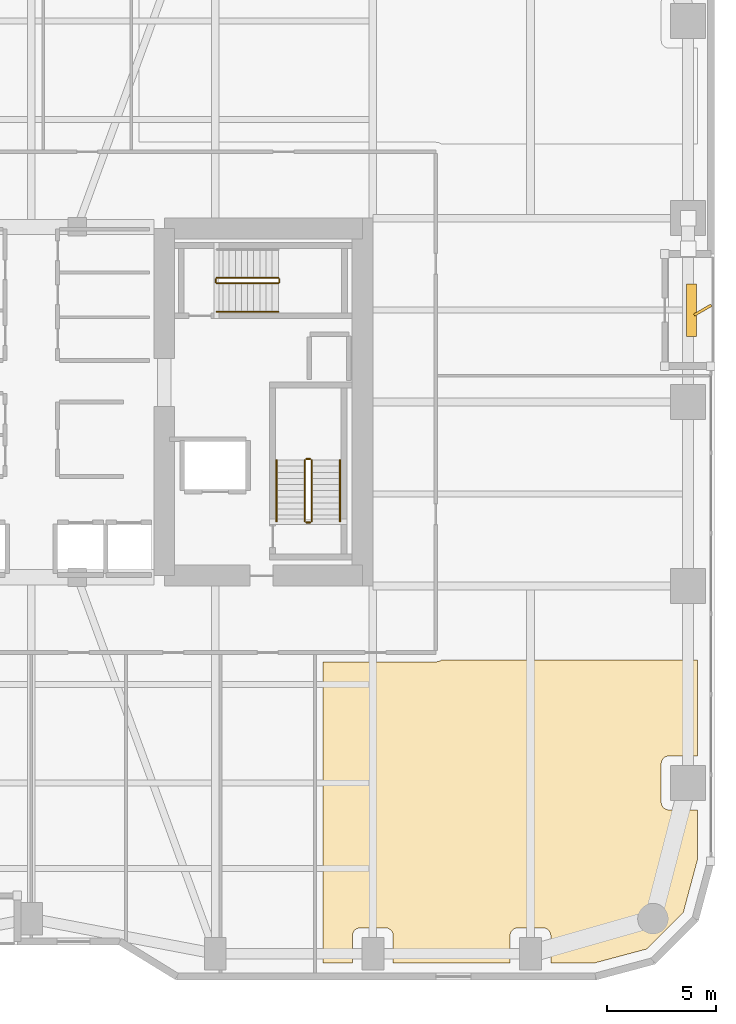
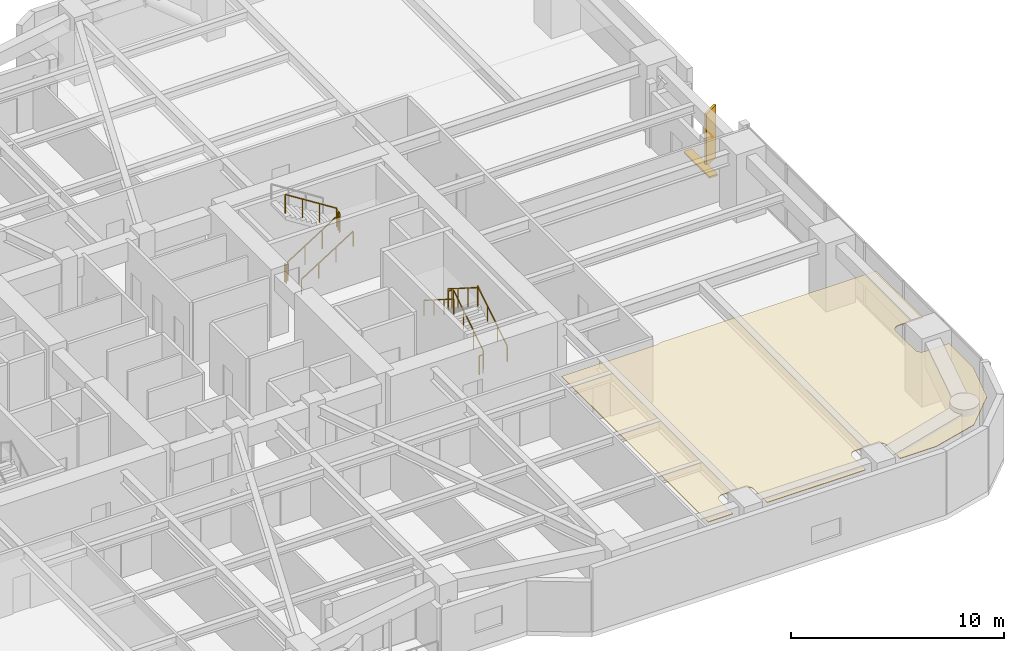
# One storey, part 27 of 28: 11 railings, 2 shading devices, 1 covering.
"""IFC4 building model written with IfcOpenShell, lengths in metres."""

from ifc_helpers import new_model, si_unit, direction, frame, origin, origin_2d, place, context, subcontext, project, spatial, polyline, rectangle, outline, extrude, material, layer, layer_set, type_object, element, save


model = new_model("IFC4")

# Units and contexts
model_context = context("Model", 3, precision=1e-05, world=origin(), true_north=direction((0.0, 1.0)))
body_context = subcontext(model_context, "Body", "Model", "MODEL_VIEW")
ifc_project = project(units=[si_unit("LENGTHUNIT", "METRE"), si_unit("AREAUNIT", "SQUARE_METRE"), si_unit("VOLUMEUNIT", "CUBIC_METRE"), si_unit("PLANEANGLEUNIT", "RADIAN"), si_unit("MASSUNIT", "GRAM", prefix="KILO")], contexts=[model_context])

# Site, building, storey
site_placement = place(None, origin())
site = spatial("IfcSite", under=ifc_project, at=site_placement, CompositionType="ELEMENT")
building_placement = place(site_placement, origin())
building = spatial("IfcBuilding", under=site, at=building_placement, Name="Kiyonajd Concourse Tower", CompositionType="ELEMENT")
storey_placement = place(building_placement, frame((0.0, 0.0, 56.699951171875)))
storey = spatial("IfcBuildingStorey", under=building, at=storey_placement, Name="L15", CompositionType="ELEMENT", Elevation=56.699951171875)

# Covering
ifc_material_1 = material(Name="Natural Oak Acoustic Timber Veneer", Category="wood")
ifc_layer = layer(ifc_material_1, 0.0400390625)
ifc_layer_set = layer_set([ifc_layer], Name="Natural Oak Acoustic Timber Veneer")
covering_type = type_object("IfcCoveringType", Name="CV-CLG-ACST", PredefinedType="CEILING", material=ifc_layer_set)
covering_placement = place(storey_placement, frame((0.0, 0.0, 3.4599609375)))
element("IfcCovering", 1, at=covering_placement, inside=storey, type_object=covering_type, Name="L15-47 Room Acoustic Ceiling", PredefinedType="CEILING", context=body_context, shape_type="SweptSolid", body=[
    extrude(outline(polyline([(66.722900390625, 24.2099609375), (78.429931640625, 24.2099609375), (78.429931640625, 19.830078125), (77.1201171875, 19.830078125), (77.052001953125, 19.822998046875), (76.986083984375, 19.802978515625), (76.926025390625, 19.77099609375), (76.84912109375, 19.701904296875), (76.81103515625, 19.64501953125), (76.784912109375, 19.58203125), (76.77001953125, 19.47998046875), (76.77001953125, 17.719970703125), (76.784912109375, 17.617919921875), (76.81103515625, 17.554931640625), (76.84912109375, 17.498046875), (76.89794921875, 17.448974609375), (76.955078125, 17.410888671875), (77.01806640625, 17.385009765625), (77.0859375, 17.3720703125), (78.429931640625, 17.3701171875), (78.429931640625, 15.10107421875), (77.785888671875, 12.697998046875), (76.10205078125, 11.013916015625), (73.698974609375, 10.3701171875), (71.72998046875, 10.3701171875), (71.72802734375, 11.6640625), (71.715087890625, 11.73193359375), (71.68896484375, 11.794921875), (71.626953125, 11.876953125), (71.544921875, 11.93896484375), (71.48193359375, 11.965087890625), (71.4140625, 11.97802734375), (70.18603515625, 11.97802734375), (70.117919921875, 11.965087890625), (70.054931640625, 11.93896484375), (69.972900390625, 11.876953125), (69.910888671875, 11.794921875), (69.876953125, 11.697998046875), (69.8701171875, 11.6298828125), (69.8701171875, 10.3701171875), (64.530029296875, 10.3701171875), (64.528076171875, 11.6640625), (64.514892578125, 11.73193359375), (64.489013671875, 11.794921875), (64.427001953125, 11.876953125), (64.344970703125, 11.93896484375), (64.281982421875, 11.965087890625), (64.214111328125, 11.97802734375), (63.02001953125, 11.97998046875), (62.91796875, 11.965087890625), (62.85498046875, 11.93896484375), (62.798095703125, 11.90087890625), (62.7490234375, 11.85205078125), (62.7109375, 11.794921875), (62.677001953125, 11.697998046875), (62.669921875, 11.6298828125), (62.669921875, 10.3701171875), (61.330078125, 10.3701171875), (61.330078125, 24.1298828125), (66.47509765625, 24.1298828125), (66.60498046875, 24.14990234375), (66.66796875, 24.176025390625), (66.722900390625, 24.2099609375)])), origin(), (0.0, 0.0, 1.0), 0.0400390625),
])

# Railings
ifc_material_2 = material(Name="Steel ASTM A500 Grade C", Category="steel")
railing_type_1 = type_object("IfcRailingType", Name="RL-GRD-STR", PredefinedType="GUARDRAIL", material=ifc_material_2)
railing_1_placement = place(storey_placement, frame((60.800048828125, 30.550048828125, 0.17724609375)))
element("IfcRailing", 2, at=railing_1_placement, inside=storey, type_object=railing_type_1, Name="L15 ST2 stair guard 1", PredefinedType="GUARDRAIL", context=body_context, shape_type="SweptSolid", body=[
    extrude(rectangle(XDim=0.048095703125, YDim=0.048095703125, at=origin_2d()), frame((0.0, 0.0, 1.076171875), z_axis=(0.0, 0.844908973607, 0.534910110503), x_axis=(-1.0, 0.0, 0.0)), (0.0, 0.0, 1.0), 3.31396484375),
    extrude(rectangle(XDim=0.0419921875, YDim=0.0419921875, at=origin_2d()), origin(), (0.0, 0.0, 1.0), 1.052001953125),
    extrude(rectangle(XDim=0.0419921875, YDim=0.0419921875, at=origin_2d()), frame((0.0, 0.933349609375, 0.5908203125)), (0.0, 0.0, 1.0), 1.052001953125),
    extrude(rectangle(XDim=0.0419921875, YDim=0.0419921875, at=origin_2d()), frame((0.0, 1.86669921875, 1.181884765625)), (0.0, 0.0, 1.0), 1.052001953125),
    extrude(rectangle(XDim=0.0419921875, YDim=0.0419921875, at=origin_2d()), frame((0.0, 2.800048828125, 1.772705078125)), (0.0, 0.0, 1.0), 1.052001953125),
])
railing_2_placement = place(storey_placement, frame((60.75, 33.39990234375, 1.949951171875)))
element("IfcRailing", 3, at=railing_2_placement, inside=storey, type_object=railing_type_1, Name="L15 ST2 stair guard 2", PredefinedType="GUARDRAIL", context=body_context, shape_type="SweptSolid", body=[
    extrude(rectangle(XDim=0.048095703125, YDim=0.048095703125, at=origin_2d()), frame((0.0, 0.0, 1.076171875), z_axis=(-1.0, 0.0, 0.0), x_axis=(0.0, -1.0, 0.0)), (0.0, 0.0, 1.0), 0.199951171875),
    extrude(rectangle(XDim=0.0419921875, YDim=0.0419921875, at=origin_2d()), origin(), (0.0, 0.0, 1.0), 1.052001953125),
    extrude(rectangle(XDim=0.0419921875, YDim=0.0419921875, at=origin_2d()), frame((-0.199951171875, 0.0, 0.0)), (0.0, 0.0, 1.0), 1.052001953125),
])
railing_3_placement = place(storey_placement, frame((60.5, 33.35009765625, 2.12744140625)))
element("IfcRailing", 4, at=railing_3_placement, inside=storey, type_object=railing_type_1, Name="L15 ST2 stair guard 3", PredefinedType="GUARDRAIL", context=body_context, shape_type="SweptSolid", body=[
    extrude(rectangle(XDim=0.048095703125, YDim=0.048095703125, at=origin_2d()), frame((0.0, 0.0, 1.076171875), z_axis=(0.0, -0.844908973607, 0.534910110503), x_axis=(1.0, 0.0, 0.0)), (0.0, 0.0, 1.0), 3.31396484375),
    extrude(rectangle(XDim=0.0419921875, YDim=0.0419921875, at=origin_2d()), origin(), (0.0, 0.0, 1.0), 1.052001953125),
    extrude(rectangle(XDim=0.0419921875, YDim=0.0419921875, at=origin_2d()), frame((0.0, -0.933349609375, 0.5908203125)), (0.0, 0.0, 1.0), 1.052001953125),
    extrude(rectangle(XDim=0.0419921875, YDim=0.0419921875, at=origin_2d()), frame((0.0, -1.86669921875, 1.181884765625)), (0.0, 0.0, 1.0), 1.052001953125),
    extrude(rectangle(XDim=0.0419921875, YDim=0.0419921875, at=origin_2d()), frame((0.0, -2.800048828125, 1.772705078125)), (0.0, 0.0, 1.0), 1.052001953125),
])
railing_4_placement = place(storey_placement, frame((60.75, 30.5, 0.0)))
element("IfcRailing", 5, at=railing_4_placement, inside=storey, type_object=railing_type_1, Name="L15 ST2 stair guard 4", PredefinedType="GUARDRAIL", context=body_context, shape_type="SweptSolid", body=[
    extrude(rectangle(XDim=0.048095703125, YDim=0.048095703125, at=origin_2d()), frame((0.0, 0.0, 1.076171875), z_axis=(-1.0, 0.0, 0.0), x_axis=(0.0, -1.0, 0.0)), (0.0, 0.0, 1.0), 0.199951171875),
    extrude(rectangle(XDim=0.0419921875, YDim=0.0419921875, at=origin_2d()), origin(), (0.0, 0.0, 1.0), 1.052001953125),
    extrude(rectangle(XDim=0.0419921875, YDim=0.0419921875, at=origin_2d()), frame((-0.199951171875, 0.0, 0.0)), (0.0, 0.0, 1.0), 1.052001953125),
])
railing_5_placement = place(storey_placement, frame((56.47998046875, 41.429931640625, 0.17724609375)))
element("IfcRailing", 6, at=railing_5_placement, inside=storey, type_object=railing_type_1, Name="L15 ST3 stair guard 1", PredefinedType="GUARDRAIL", context=body_context, shape_type="SweptSolid", body=[
    extrude(rectangle(XDim=0.048095703125, YDim=0.048095703125, at=origin_2d()), frame((0.0, 0.0, 1.076171875), z_axis=(0.844908973607, 0.0, 0.534910110503), x_axis=(0.0, 1.0, 0.0)), (0.0, 0.0, 1.0), 3.31396484375),
    extrude(rectangle(XDim=0.0419921875, YDim=0.0419921875, at=origin_2d()), origin(), (0.0, 0.0, 1.0), 1.052001953125),
    extrude(rectangle(XDim=0.0419921875, YDim=0.0419921875, at=origin_2d()), frame((0.933349609375, 0.0, 0.5908203125)), (0.0, 0.0, 1.0), 1.052001953125),
    extrude(rectangle(XDim=0.0419921875, YDim=0.0419921875, at=origin_2d()), frame((1.86669921875, 0.0, 1.181884765625)), (0.0, 0.0, 1.0), 1.052001953125),
    extrude(rectangle(XDim=0.0419921875, YDim=0.0419921875, at=origin_2d()), frame((2.800048828125, 0.0, 1.772705078125)), (0.0, 0.0, 1.0), 1.052001953125),
])
railing_6_placement = place(storey_placement, frame((59.330078125, 41.47998046875, 1.949951171875)))
element("IfcRailing", 7, at=railing_6_placement, inside=storey, type_object=railing_type_1, Name="L15 ST3 stair guard 2", PredefinedType="GUARDRAIL", context=body_context, shape_type="SweptSolid", body=[
    extrude(rectangle(XDim=0.048095703125, YDim=0.048095703125, at=origin_2d()), frame((0.0, 0.0, 1.076171875), z_axis=(0.0, 1.0, 0.0), x_axis=(-1.0, 0.0, 0.0)), (0.0, 0.0, 1.0), 0.14013671875),
    extrude(rectangle(XDim=0.0419921875, YDim=0.0419921875, at=origin_2d()), origin(), (0.0, 0.0, 1.0), 1.052001953125),
    extrude(rectangle(XDim=0.0419921875, YDim=0.0419921875, at=origin_2d()), frame((0.0, 0.14013671875, 0.0)), (0.0, 0.0, 1.0), 1.052001953125),
])
railing_7_placement = place(storey_placement, frame((59.280029296875, 41.669921875, 2.12744140625)))
element("IfcRailing", 8, at=railing_7_placement, inside=storey, type_object=railing_type_1, Name="L15 ST3 stair guard 3", PredefinedType="GUARDRAIL", context=body_context, shape_type="SweptSolid", body=[
    extrude(rectangle(XDim=0.048095703125, YDim=0.048095703125, at=origin_2d()), frame((0.0, 0.0, 1.076171875), z_axis=(-0.844908973607, 0.0, 0.534910110503), x_axis=(0.0, -1.0, 0.0)), (0.0, 0.0, 1.0), 3.31396484375),
    extrude(rectangle(XDim=0.0419921875, YDim=0.0419921875, at=origin_2d()), origin(), (0.0, 0.0, 1.0), 1.052001953125),
    extrude(rectangle(XDim=0.0419921875, YDim=0.0419921875, at=origin_2d()), frame((-0.933349609375, 0.0, 0.5908203125)), (0.0, 0.0, 1.0), 1.052001953125),
    extrude(rectangle(XDim=0.0419921875, YDim=0.0419921875, at=origin_2d()), frame((-1.86669921875, 0.0, 1.181884765625)), (0.0, 0.0, 1.0), 1.052001953125),
    extrude(rectangle(XDim=0.0419921875, YDim=0.0419921875, at=origin_2d()), frame((-2.800048828125, 0.0, 1.772705078125)), (0.0, 0.0, 1.0), 1.052001953125),
])
railing_8_placement = place(storey_placement, frame((56.429931640625, 41.47998046875, 0.0)))
element("IfcRailing", 9, at=railing_8_placement, inside=storey, type_object=railing_type_1, Name="L15 ST3 stair guard 4", PredefinedType="GUARDRAIL", context=body_context, shape_type="SweptSolid", body=[
    extrude(rectangle(XDim=0.048095703125, YDim=0.048095703125, at=origin_2d()), frame((0.0, 0.0, 1.076171875), z_axis=(0.0, 1.0, 0.0), x_axis=(-1.0, 0.0, 0.0)), (0.0, 0.0, 1.0), 0.14013671875),
    extrude(rectangle(XDim=0.0419921875, YDim=0.0419921875, at=origin_2d()), origin(), (0.0, 0.0, 1.0), 1.052001953125),
    extrude(rectangle(XDim=0.0419921875, YDim=0.0419921875, at=origin_2d()), frame((0.0, 0.14013671875, 0.0)), (0.0, 0.0, 1.0), 1.052001953125),
])
ifc_material_3 = material(Name="Brushed Stainless Steel Cab Assembly", Category="steel")
railing_type_2 = type_object("IfcRailingType", Name="RL-HND-900", PredefinedType="HANDRAIL", material=ifc_material_3)
railing_9_placement = place(storey_placement, frame((62.10009765625, 30.550048828125, 0.17724609375)))
element("IfcRailing", 10, at=railing_9_placement, inside=storey, type_object=railing_type_2, Name="L15 ST2 stair handrail 1", PredefinedType="HANDRAIL", context=body_context, shape_type="SweptSolid", body=[
    extrude(rectangle(XDim=0.048095703125, YDim=0.048095703125, at=origin_2d()), frame((0.0, 0.0, 0.8759765625), z_axis=(0.0, 0.844908973607, 0.534910110503), x_axis=(-1.0, 0.0, 0.0)), (0.0, 0.0, 1.0), 3.31396484375),
    extrude(rectangle(XDim=0.0419921875, YDim=0.0419921875, at=origin_2d()), origin(), (0.0, 0.0, 1.0), 0.851806640625),
    extrude(rectangle(XDim=0.0419921875, YDim=0.0419921875, at=origin_2d()), frame((0.0, 0.933349609375, 0.5908203125)), (0.0, 0.0, 1.0), 0.851806640625),
    extrude(rectangle(XDim=0.0419921875, YDim=0.0419921875, at=origin_2d()), frame((0.0, 1.86669921875, 1.181884765625)), (0.0, 0.0, 1.0), 0.851806640625),
    extrude(rectangle(XDim=0.0419921875, YDim=0.0419921875, at=origin_2d()), frame((0.0, 2.800048828125, 1.772705078125)), (0.0, 0.0, 1.0), 0.851806640625),
])
railing_10_placement = place(storey_placement, frame((59.199951171875, 33.35009765625, 2.12744140625)))
element("IfcRailing", 11, at=railing_10_placement, inside=storey, type_object=railing_type_2, Name="L15 ST2 stair handrail 2", PredefinedType="HANDRAIL", context=body_context, shape_type="SweptSolid", body=[
    extrude(rectangle(XDim=0.048095703125, YDim=0.048095703125, at=origin_2d()), frame((0.0, 0.0, 0.8759765625), z_axis=(0.0, -0.844908973607, 0.534910110503), x_axis=(1.0, 0.0, 0.0)), (0.0, 0.0, 1.0), 3.31396484375),
    extrude(rectangle(XDim=0.0419921875, YDim=0.0419921875, at=origin_2d()), origin(), (0.0, 0.0, 1.0), 0.851806640625),
    extrude(rectangle(XDim=0.0419921875, YDim=0.0419921875, at=origin_2d()), frame((0.0, -0.933349609375, 0.5908203125)), (0.0, 0.0, 1.0), 0.851806640625),
    extrude(rectangle(XDim=0.0419921875, YDim=0.0419921875, at=origin_2d()), frame((0.0, -1.86669921875, 1.181884765625)), (0.0, 0.0, 1.0), 0.851806640625),
    extrude(rectangle(XDim=0.0419921875, YDim=0.0419921875, at=origin_2d()), frame((0.0, -2.800048828125, 1.772705078125)), (0.0, 0.0, 1.0), 0.851806640625),
])
railing_11_placement = place(storey_placement, frame((56.47998046875, 40.1298828125, 0.17724609375)))
element("IfcRailing", 12, at=railing_11_placement, inside=storey, type_object=railing_type_2, Name="L15 ST3 stair handrail 1", PredefinedType="HANDRAIL", context=body_context, shape_type="SweptSolid", body=[
    extrude(rectangle(XDim=0.048095703125, YDim=0.048095703125, at=origin_2d()), frame((0.0, 0.0, 0.8759765625), z_axis=(0.844908973607, 0.0, 0.534910110503), x_axis=(0.0, 1.0, 0.0)), (0.0, 0.0, 1.0), 3.31396484375),
    extrude(rectangle(XDim=0.0419921875, YDim=0.0419921875, at=origin_2d()), origin(), (0.0, 0.0, 1.0), 0.851806640625),
    extrude(rectangle(XDim=0.0419921875, YDim=0.0419921875, at=origin_2d()), frame((0.933349609375, 0.0, 0.5908203125)), (0.0, 0.0, 1.0), 0.851806640625),
    extrude(rectangle(XDim=0.0419921875, YDim=0.0419921875, at=origin_2d()), frame((1.86669921875, 0.0, 1.181884765625)), (0.0, 0.0, 1.0), 0.851806640625),
    extrude(rectangle(XDim=0.0419921875, YDim=0.0419921875, at=origin_2d()), frame((2.800048828125, 0.0, 1.772705078125)), (0.0, 0.0, 1.0), 0.851806640625),
])

# Shading devices
ifc_material_4 = material(Name="Precast concrete C50/60", Category="concrete")
shading_device_type_1 = type_object("IfcShadingDeviceType", Name="SH-FIN-900", PredefinedType="USERDEFINED", material=ifc_material_4)
shading_device_1_placement = place(storey_placement, frame((78.669921875, 40.199951171875, 0.0), z_axis=(0.0, 0.0, 1.0), x_axis=(0.866025403784, 0.5, 0.0)))
element("IfcShadingDevice", 13, at=shading_device_1_placement, inside=storey, type_object=shading_device_type_1, Name="L15 Angled Koshi Solar Fin LOG-E", ObjectType="FIN", PredefinedType="USERDEFINED", context=body_context, shape_type="SweptSolid", body=[
    extrude(rectangle(XDim=0.89990234375, YDim=0.1201171875, at=origin_2d()), origin(), (0.0, 0.0, 1.0), 3.0),
])
ifc_material_5 = material(Name="Thermally Broken Anodised Aluminium", Category="aluminium")
shading_device_type_2 = type_object("IfcShadingDeviceType", Name="SH-LVR-600", PredefinedType="JALOUSIE", material=ifc_material_5)
shading_device_2_placement = place(storey_placement, frame((78.14990234375, 40.199951171875, 0.0), z_axis=(0.0, 0.0, 1.0), x_axis=(0.0, 1.0, 0.0)))
element("IfcShadingDevice", 14, at=shading_device_2_placement, inside=storey, type_object=shading_device_type_2, Name="L15 Loggia Threshold Louver LOG-E", PredefinedType="JALOUSIE", context=body_context, shape_type="SweptSolid", body=[
    extrude(rectangle(XDim=2.39990234375, YDim=0.449951171875, at=origin_2d()), origin(), (0.0, 0.0, 1.0), 0.10009765625),
])

save(model, "model.ifc")
